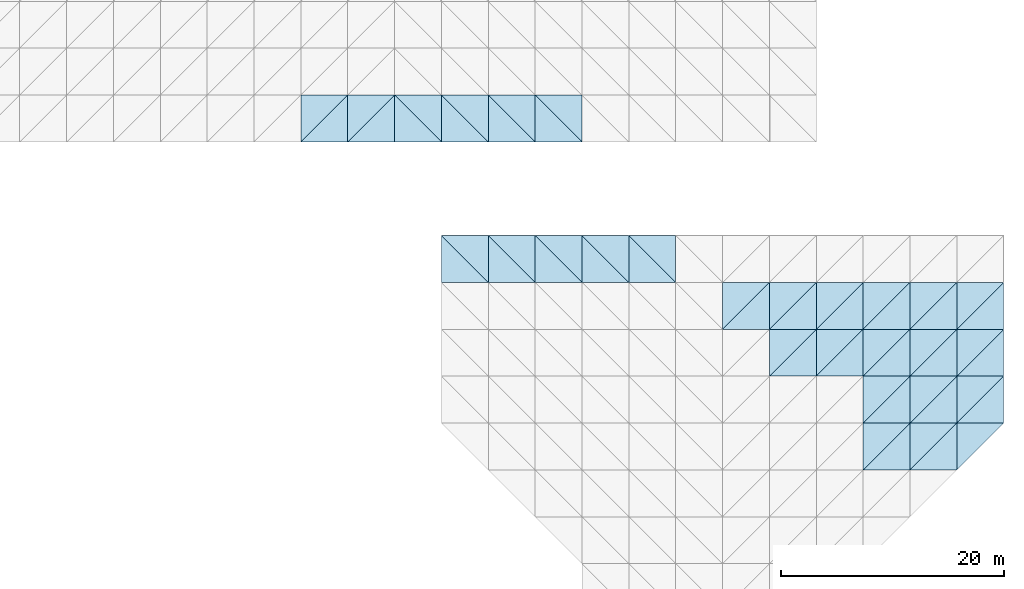
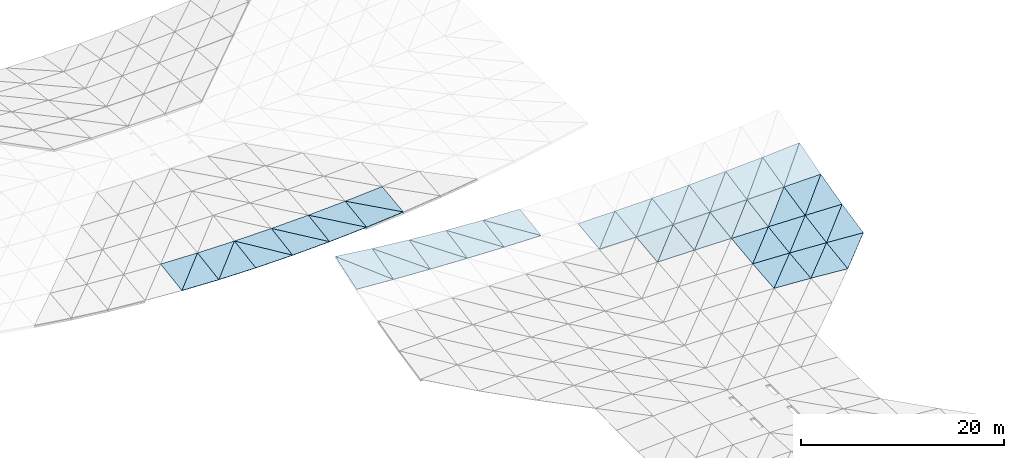
# One storey, part 49 of 64: 55 roofs.
"""IFC4 building model written with IfcOpenShell, lengths in metres."""

from ifc_helpers import new_model, si_unit, direction, frame, origin, place, context, subcontext, project, spatial, polyline, outline, extrude, material, layer, layer_set, type_object, element, save


model = new_model("IFC4")

# Units and contexts
model_context = context("Model", 3, precision=1e-05, world=origin(), true_north=direction((0.0, 1.0)))
body_context = subcontext(model_context, "Body", "Model", "MODEL_VIEW")
ifc_project = project(units=[si_unit("LENGTHUNIT", "METRE"), si_unit("AREAUNIT", "SQUARE_METRE"), si_unit("VOLUMEUNIT", "CUBIC_METRE"), si_unit("PLANEANGLEUNIT", "RADIAN"), si_unit("MASSUNIT", "GRAM", prefix="KILO")], contexts=[model_context])

# Site, building, storey
site_placement = place(None, origin())
site = spatial("IfcSite", under=ifc_project, at=site_placement, CompositionType="ELEMENT")
building_placement = place(site_placement, origin())
building = spatial("IfcBuilding", under=site, at=building_placement, Name="Cumbredor Promenade Congress Hotel", CompositionType="ELEMENT")
storey_placement = place(building_placement, frame((0.0, 0.0, 18.47998046875)))
storey = spatial("IfcBuildingStorey", under=building, at=storey_placement, Name="L05", CompositionType="ELEMENT", Elevation=18.47998046875)

# Roofs
ifc_material = material(Name="Standing-seam zinc-aluminium roofing", Category="aluminium")
ifc_layer = layer(ifc_material, 0.050048828125, Name="Standing-seam zinc-aluminium roofing", Category="aluminium")
ifc_layer_set = layer_set([ifc_layer], Name="Standing-seam zinc-aluminium roofing")
roof_type = type_object("IfcRoofType", Name="Sweeping Pavilion Standing-Seam Roof Skin 50mm", PredefinedType="FREEFORM", material=ifc_layer_set)
roof_1_placement = place(storey_placement, frame((138.60009765625, 67.199951171875, 3.352783203125), z_axis=(0.06211809951, -0.31911112182, 0.945679350332), x_axis=(0.997849616578, 0.0, -0.065544966967)))
element("IfcRoof", 1, at=roof_1_placement, inside=storey, type_object=roof_type, Name="Grand Ballroom Pavilion Standing-Seam Roof Skin 1.17.1", PredefinedType="FREEFORM", context=body_context, shape_type="SweptSolid", body=[
    extrude(outline(polyline([(0.0, 0.0), (4.20900214029975, 2.7755575615628914e-17), (-0.09289270831139244, 4.431649760600898), (0.0, 0.0)])), origin(), (0.0, 0.0, -1.0), 0.050048828125),
])
roof_2_placement = place(storey_placement, frame((142.800048828125, 67.199951171875, 3.076904296875), z_axis=(0.118242562971, -0.267282671727, 0.956336065249), x_axis=(0.0, 0.963092407715, 0.269170975777)))
element("IfcRoof", 2, at=roof_2_placement, inside=storey, type_object=roof_type, Name="Grand Ballroom Pavilion Standing-Seam Roof Skin 1.17.2", PredefinedType="FREEFORM", context=body_context, shape_type="SweptSolid", body=[
    extrude(outline(polyline([(0.0, 0.0), (4.360901548209407, 2.7755575615628914e-17), (4.500678566148418, 4.229623072255176), (0.0, 0.0)])), origin(), (0.0, 0.0, -1.0), 0.050048828125),
])
roof_3_placement = place(storey_placement, frame((142.800048828125, 67.199951171875, 3.076904296875), z_axis=(0.051660124766, -0.268811558307, 0.961806413801), x_axis=(0.998560647635, 0.0, -0.053634252073)))
element("IfcRoof", 3, at=roof_3_placement, inside=storey, type_object=roof_type, Name="Grand Ballroom Pavilion Standing-Seam Roof Skin 2.17.1", PredefinedType="FREEFORM", context=body_context, shape_type="SweptSolid", body=[
    extrude(outline(polyline([(0.0, 0.0), (4.206005095257487, -6.938893903907228e-18), (-0.0629573935468049, 4.360447073382843), (0.0, 0.0)])), origin(), (0.0, 0.0, -1.0), 0.050048828125),
])
roof_4_placement = place(storey_placement, frame((147.0, 67.199951171875, 2.851318359375), z_axis=(0.098109442037, -0.224902230425, 0.969429483837), x_axis=(0.0, 0.974129041372, 0.225992501547)))
element("IfcRoof", 4, at=roof_4_placement, inside=storey, type_object=roof_type, Name="Grand Ballroom Pavilion Standing-Seam Roof Skin 2.17.2", PredefinedType="FREEFORM", context=body_context, shape_type="SweptSolid", body=[
    extrude(outline(polyline([(0.0, 0.0), (4.311493645605063, 1.3877787807814457e-17), (4.407551493552724, 4.220311510098785), (0.0, 0.0)])), origin(), (0.0, 0.0, -1.0), 0.050048828125),
])
roof_5_placement = place(storey_placement, frame((147.0, 67.199951171875, 2.851318359375), z_axis=(0.040736541067, -0.225804910278, 0.973320438867), x_axis=(0.99912530526, 0.0, -0.041816556402)))
element("IfcRoof", 5, at=roof_5_placement, inside=storey, type_object=roof_type, Name="Grand Ballroom Pavilion Standing-Seam Roof Skin 3.17.1", PredefinedType="FREEFORM", context=body_context, shape_type="SweptSolid", body=[
    extrude(outline(polyline([(0.0, 0.0), (4.203628063231301, -6.938893903907228e-18), (-0.04074459877958907, 4.311301118428533), (0.0, 0.0)])), origin(), (0.0, 0.0, -1.0), 0.050048828125),
])
roof_6_placement = place(storey_placement, frame((151.199951171875, 67.199951171875, 2.675537109375), z_axis=(0.077020639314, -0.190958852419, 0.978571682506), x_axis=(0.0, 0.981487191562, 0.191527785972)))
element("IfcRoof", 6, at=roof_6_placement, inside=storey, type_object=roof_type, Name="Grand Ballroom Pavilion Standing-Seam Roof Skin 3.17.2", PredefinedType="FREEFORM", context=body_context, shape_type="SweptSolid", body=[
    extrude(outline(polyline([(0.0, 0.0), (4.279170638172024, 0.0), (4.34248329007777, 4.212464302897283), (0.0, 0.0)])), origin(), (0.0, 0.0, -1.0), 0.050048828125),
])
roof_7_placement = place(storey_placement, frame((151.199951171875, 67.199951171875, 2.675537109375), z_axis=(0.0292557931, -0.191445803973, 0.981067073503), x_axis=(0.999555668784, 0.0, -0.02980713004)))
element("IfcRoof", 7, at=roof_7_placement, inside=storey, type_object=roof_type, Name="Grand Ballroom Pavilion Standing-Seam Roof Skin 4.17.1", PredefinedType="FREEFORM", context=body_context, shape_type="SweptSolid", body=[
    extrude(outline(polyline([(0.0, 0.0), (4.201818170851172, 3.469446951953614e-18), (-0.024429329967256164, 4.279100905380816), (0.0, 0.0)])), origin(), (0.0, 0.0, -1.0), 0.050048828125),
])
roof_8_placement = place(storey_placement, frame((155.39990234375, 67.199951171875, 2.55029296875), z_axis=(0.055342530466, -0.166142053717, 0.984547623179), x_axis=(0.0, 0.986058829557, 0.166397069244)))
element("IfcRoof", 8, at=roof_8_placement, inside=storey, type_object=roof_type, Name="Grand Ballroom Pavilion Standing-Seam Roof Skin 4.17.2", PredefinedType="FREEFORM", context=body_context, shape_type="SweptSolid", body=[
    extrude(outline(polyline([(0.0, 0.0), (4.259331234590252, 6.938893903907228e-18), (4.2986149176856845, 4.206397780293135), (0.0, 0.0)])), origin(), (0.0, 0.0, -1.0), 0.050048828125),
])
roof_9_placement = place(storey_placement, frame((155.39990234375, 67.199951171875, 2.55029296875), z_axis=(0.017650477076, -0.166371147608, 0.985905219533), x_axis=(0.99983978315, 0.0, -0.017899944967)))
element("IfcRoof", 9, at=roof_9_placement, inside=storey, type_object=roof_type, Name="Grand Ballroom Pavilion Standing-Seam Roof Skin 5.17.1", PredefinedType="FREEFORM", context=body_context, shape_type="SweptSolid", body=[
    extrude(outline(polyline([(0.0, 0.0), (4.200868362394726, -1.734723475976807e-18), (-0.012686411191130705, 4.259312341320745), (0.0, 0.0)])), origin(), (0.0, 0.0, -1.0), 0.050048828125),
])
roof_10_placement = place(storey_placement, frame((159.60009765625, 67.199951171875, 2.47509765625), z_axis=(0.033364758538, -0.151040302528, 0.987964381898), x_axis=(0.0, 0.988514745931, 0.151124442353)))
element("IfcRoof", 10, at=roof_10_placement, inside=storey, type_object=roof_type, Name="Grand Ballroom Pavilion Standing-Seam Roof Skin 5.17.2", PredefinedType="FREEFORM", context=body_context, shape_type="SweptSolid", body=[
    extrude(outline(polyline([(0.0, 0.0), (4.248749135166854, 0.0), (4.270185487951792, 4.202535109838022), (0.0, 0.0)])), origin(), (0.0, 0.0, -1.0), 0.050048828125),
])
roof_11_placement = place(storey_placement, frame((163.800048828125, 63.0, 1.907470703125), z_axis=(-0.001325163288, -0.132631560406, 0.991164523743), x_axis=(0.999999106249, 0.0, 0.001336974914)))
element("IfcRoof", 11, at=roof_11_placement, inside=storey, type_object=roof_type, Name="Grand Ballroom Pavilion Standing-Seam Roof Skin 7.16.1", PredefinedType="FREEFORM", context=body_context, shape_type="SweptSolid", body=[
    extrude(outline(polyline([(0.0, 0.0), (4.199954925590426, 2.168404344971009e-19), (4.200706321159709, 4.23738674816817), (0.0, 0.0)])), origin(), (0.0, 0.0, -1.0), 0.050048828125),
])
roof_12_placement = place(storey_placement, frame((163.800048828125, 63.0, 1.907470703125), z_axis=(-0.005937895527, -0.128097124871, 0.991743852008), x_axis=(0.703899772334, 0.703899772334, 0.095132649577)))
element("IfcRoof", 12, at=roof_12_placement, inside=storey, type_object=roof_type, Name="Grand Ballroom Pavilion Standing-Seam Roof Skin 7.16.2", PredefinedType="FREEFORM", context=body_context, shape_type="SweptSolid", body=[
    extrude(outline(polyline([(0.0, 0.0), (5.966689203417784, 4.996003610813204e-16), (3.007952278033862, 2.9809558866545327), (0.0, 0.0)])), origin(), (0.0, 0.0, -1.0), 0.050048828125),
])
roof_13_placement = place(storey_placement, frame((168.0, 58.800048828125, 1.431396484375), z_axis=(0.007727477115, -0.125542669251, 0.992058125462), x_axis=(0.999969664479, 0.0, -0.007789102775)))
element("IfcRoof", 13, at=roof_13_placement, inside=storey, type_object=roof_type, Name="Grand Ballroom Pavilion Standing-Seam Roof Skin 8.15.1", PredefinedType="FREEFORM", context=body_context, shape_type="SweptSolid", body=[
    extrude(outline(polyline([(0.0, 0.0), (4.200078583447668, 0.0), (4.195938720961974, 4.233445255249145), (0.0, 0.0)])), origin(), (0.0, 0.0, -1.0), 0.050048828125),
])
roof_14_placement = place(storey_placement, frame((168.0, 58.800048828125, 1.431396484375), z_axis=(-0.004042524387, -0.113941437366, 0.99347924329), x_axis=(0.704626711716, 0.704626711716, 0.083680309948)))
element("IfcRoof", 14, at=roof_14_placement, inside=storey, type_object=roof_type, Name="Grand Ballroom Pavilion Standing-Seam Roof Skin 8.15.2", PredefinedType="FREEFORM", context=body_context, shape_type="SweptSolid", body=[
    extrude(outline(polyline([(0.0, 0.0), (5.96053357336904, 4.85722573273506e-17), (2.9997057063416306, 2.978821956869445), (0.0, 0.0)])), origin(), (0.0, 0.0, -1.0), 0.050048828125),
])
roof_15_placement = place(storey_placement, frame((168.0, 63.0, 1.9130859375), z_axis=(-0.004025384366, -0.146063947006, 0.989266960767), x_axis=(0.999991721487, 0.0, 0.004069024037)))
element("IfcRoof", 15, at=roof_15_placement, inside=storey, type_object=roof_type, Name="Grand Ballroom Pavilion Standing-Seam Roof Skin 8.16.1", PredefinedType="FREEFORM", context=body_context, shape_type="SweptSolid", body=[
    extrude(outline(polyline([(0.0, 0.0), (4.1999859415114225, 0.0), (4.2025092132529585, 4.24548334179594), (0.0, 0.0)])), origin(), (0.0, 0.0, -1.0), 0.050048828125),
])
roof_16_placement = place(storey_placement, frame((168.0, 63.0, 1.9130859375), z_axis=(-0.017742887004, -0.132610798325, 0.991009367326), x_axis=(0.703072478188, 0.703072478188, 0.106668555954)))
element("IfcRoof", 16, at=roof_16_placement, inside=storey, type_object=roof_type, Name="Grand Ballroom Pavilion Standing-Seam Roof Skin 8.16.2", PredefinedType="FREEFORM", context=body_context, shape_type="SweptSolid", body=[
    extrude(outline(polyline([(0.0, 0.0), (5.973710111224247, -3.5388358909926865e-16), (3.0128190571467397, 2.97965909913197), (0.0, 0.0)])), origin(), (0.0, 0.0, -1.0), 0.050048828125),
])
roof_17_placement = place(storey_placement, frame((172.199951171875, 58.800048828125, 1.398681640625), z_axis=(0.012825240402, -0.144758430906, 0.9893839042), x_axis=(0.999915992778, 0.0, -0.012961766342)))
element("IfcRoof", 17, at=roof_17_placement, inside=storey, type_object=roof_type, Name="Grand Ballroom Pavilion Standing-Seam Roof Skin 9.15.1", PredefinedType="FREEFORM", context=body_context, shape_type="SweptSolid", body=[
    extrude(outline(polyline([(0.0, 0.0), (4.20030402774778, 0.0), (4.1923389970143825, 4.244660063516752), (0.0, 0.0)])), origin(), (0.0, 0.0, -1.0), 0.050048828125),
])
roof_18_placement = place(storey_placement, frame((172.199951171875, 58.800048828125, 1.398681640625), z_axis=(-0.006747173413, -0.125543559999, 0.992065164288), x_axis=(0.703984160559, 0.703984160559, 0.093875467321)))
element("IfcRoof", 18, at=roof_18_placement, inside=storey, type_object=roof_type, Name="Grand Ballroom Pavilion Standing-Seam Roof Skin 9.15.2", PredefinedType="FREEFORM", context=body_context, shape_type="SweptSolid", body=[
    extrude(outline(polyline([(0.0, 0.0), (5.965973962455887, -1.942890293094024e-16), (3.0065933609497577, 2.9803476692402406), (0.0, 0.0)])), origin(), (0.0, 0.0, -1.0), 0.050048828125),
])
roof_19_placement = place(storey_placement, frame((172.199951171875, 63.0, 1.93017578125), z_axis=(-0.006704051065, -0.168231572029, 0.985724704911), x_axis=(0.999976873054, 0.0, 0.006800982047)))
element("IfcRoof", 19, at=roof_19_placement, inside=storey, type_object=roof_type, Name="Grand Ballroom Pavilion Standing-Seam Roof Skin 9.16.1", PredefinedType="FREEFORM", context=body_context, shape_type="SweptSolid", body=[
    extrude(outline(polyline([(0.0, 0.0), (4.200048306164646, 8.673617379884035e-19), (4.204923228842567, 4.260676453483982), (0.0, 0.0)])), origin(), (0.0, 0.0, -1.0), 0.050048828125),
])
roof_20_placement = place(storey_placement, frame((172.199951171875, 63.0, 1.93017578125), z_axis=(-0.029487727326, -0.146001612881, 0.988844782043), x_axis=(0.701604059299, 0.701604059299, 0.124513003141)))
element("IfcRoof", 20, at=roof_20_placement, inside=storey, type_object=roof_type, Name="Grand Ballroom Pavilion Standing-Seam Roof Skin 9.16.2", PredefinedType="FREEFORM", context=body_context, shape_type="SweptSolid", body=[
    extrude(outline(polyline([(0.0, 0.0), (5.986212759477618, 1.8735013540549517e-16), (3.023915444358841, 2.979944723939551), (0.0, 0.0)])), origin(), (0.0, 0.0, -1.0), 0.050048828125),
])
roof_21_placement = place(storey_placement, frame((176.39990234375, 50.39990234375, 0.42236328125), z_axis=(0.059193687169, -0.115044400769, 0.991595125669), x_axis=(0.998222976403, 0.0, -0.0595893395)))
element("IfcRoof", 21, at=roof_21_placement, inside=storey, type_object=roof_type, Name="Grand Ballroom Pavilion Standing-Seam Roof Skin 10.13.1", PredefinedType="FREEFORM", context=body_context, shape_type="SweptSolid", body=[
    extrude(outline(polyline([(0.0, 0.0), (4.20767244572653, -3.469446951953614e-18), (4.178634281262942, 4.228269540439803), (0.0, 0.0)])), origin(), (0.0, 0.0, -1.0), 0.050048828125),
])
roof_22_placement = place(storey_placement, frame((176.39990234375, 50.39990234375, 0.42236328125), z_axis=(0.040982249468, -0.096993250503, 0.994440930667), x_axis=(0.706546640121, 0.706546640121, 0.039795611153)))
element("IfcRoof", 22, at=roof_22_placement, inside=storey, type_object=roof_type, Name="Grand Ballroom Pavilion Standing-Seam Roof Skin 10.13.2", PredefinedType="FREEFORM", context=body_context, shape_type="SweptSolid", body=[
    extrude(outline(polyline([(0.0, 0.0), (5.944682309691317, 1.3530843112619095e-16), (2.9839368730856948, 2.9842233906338667), (0.0, 0.0)])), origin(), (0.0, 0.0, -1.0), 0.050048828125),
])
roof_23_placement = place(storey_placement, frame((176.39990234375, 54.60009765625, 0.83203125), z_axis=(0.040751093511, -0.143355620727, 0.988831893895), x_axis=(0.999151892623, 0.0, -0.041176394552)))
element("IfcRoof", 23, at=roof_23_placement, inside=storey, type_object=roof_type, Name="Grand Ballroom Pavilion Standing-Seam Roof Skin 10.14.1", PredefinedType="FREEFORM", context=body_context, shape_type="SweptSolid", body=[
    extrude(outline(polyline([(0.0, 0.0), (4.203760552836866, 6.938893903907228e-18), (4.178688793068251, 4.243784194473894), (0.0, 0.0)])), origin(), (0.0, 0.0, -1.0), 0.050048828125),
])
roof_24_placement = place(storey_placement, frame((176.39990234375, 54.60009765625, 0.83203125), z_axis=(0.018056692985, -0.121038798704, 0.992483533892), x_axis=(0.705231798689, 0.705190806374, 0.073171283461)))
element("IfcRoof", 24, at=roof_24_placement, inside=storey, type_object=roof_type, Name="Grand Ballroom Pavilion Standing-Seam Roof Skin 10.14.2", PredefinedType="FREEFORM", context=body_context, shape_type="SweptSolid", body=[
    extrude(outline(polyline([(0.0, 0.0), (5.955765636639897, 1.1796119636642288e-16), (2.9992457994990325, 2.9843710431485446), (0.0, 0.0)])), origin(), (0.0, 0.0, -1.0), 0.050048828125),
])
roof_25_placement = place(storey_placement, frame((176.39990234375, 58.800048828125, 1.34423828125), z_axis=(0.017921309155, -0.171378901834, 0.98504218117), x_axis=(0.999834540383, 0.0, -0.018190433105)))
element("IfcRoof", 25, at=roof_25_placement, inside=storey, type_object=roof_type, Name="Grand Ballroom Pavilion Standing-Seam Roof Skin 10.15.1", PredefinedType="FREEFORM", context=body_context, shape_type="SweptSolid", body=[
    extrude(outline(polyline([(0.0, 0.0), (4.200890390213838, 0.0), (4.187598406257897, 4.263021756667709), (0.0, 0.0)])), origin(), (0.0, 0.0, -1.0), 0.050048828125),
])
roof_26_placement = place(storey_placement, frame((176.39990234375, 58.800048828125, 1.34423828125), z_axis=(-0.009374317288, -0.144763976609, 0.989421807548), x_axis=(0.702875823219, 0.702834967847, 0.109492397479)))
element("IfcRoof", 26, at=roof_26_placement, inside=storey, type_object=roof_type, Name="Grand Ballroom Pavilion Standing-Seam Roof Skin 10.15.2", PredefinedType="FREEFORM", context=body_context, shape_type="SweptSolid", body=[
    extrude(outline(polyline([(0.0, 0.0), (5.975728818304586, 3.885780586188048e-16), (3.0191558389465185, 2.983605288352293), (0.0, 0.0)])), origin(), (0.0, 0.0, -1.0), 0.050048828125),
])
roof_27_placement = place(storey_placement, frame((176.39990234375, 63.0, 1.958740234375), z_axis=(-0.009284672729, -0.198976975823, 0.979960181816), x_axis=(0.99995511956, 0.0, 0.009474115583)))
element("IfcRoof", 27, at=roof_27_placement, inside=storey, type_object=roof_type, Name="Grand Ballroom Pavilion Standing-Seam Roof Skin 10.16.1", PredefinedType="FREEFORM", context=body_context, shape_type="SweptSolid", body=[
    extrude(outline(polyline([(0.0, 0.0), (4.200383827575048, 1.734723475976807e-18), (4.208463194208612, 4.285646247825539), (0.0, 0.0)])), origin(), (0.0, 0.0, -1.0), 0.050048828125),
])
roof_28_placement = place(storey_placement, frame((176.39990234375, 63.0, 1.958740234375), z_axis=(-0.041219167143, -0.168092374333, 0.984909099334), x_axis=(0.699276128643, 0.699235482506, 0.148602274257)))
element("IfcRoof", 28, at=roof_28_placement, inside=storey, type_object=roof_type, Name="Grand Ballroom Pavilion Standing-Seam Roof Skin 10.16.2", PredefinedType="FREEFORM", context=body_context, shape_type="SweptSolid", body=[
    extrude(outline(polyline([(0.0, 0.0), (6.006490341165102, -3.191891195797325e-16), (3.043272529974937, 2.981925538044821), (0.0, 0.0)])), origin(), (0.0, 0.0, -1.0), 0.050048828125),
])
roof_29_placement = place(storey_placement, frame((180.60009765625, 50.39990234375, 0.171630859375), z_axis=(0.075831077884, -0.137991911416, 0.987526141432), x_axis=(0.997064704654, 0.0, -0.076563533968)))
element("IfcRoof", 29, at=roof_29_placement, inside=storey, type_object=roof_type, Name="Grand Ballroom Pavilion Standing-Seam Roof Skin 11.13.1", PredefinedType="FREEFORM", context=body_context, shape_type="SweptSolid", body=[
    extrude(outline(polyline([(0.0, 0.0), (4.212315562141288, -6.938893903907228e-18), (4.167379347380904, 4.240765204124161), (0.0, 0.0)])), origin(), (0.0, 0.0, -1.0), 0.050048828125),
])
roof_30_placement = place(storey_placement, frame((180.60009765625, 50.39990234375, 0.171630859375), z_axis=(0.052645408579, -0.115086667719, 0.991959434588), x_axis=(0.7063867246, 0.706427786433, 0.044469965863)))
element("IfcRoof", 30, at=roof_30_placement, inside=storey, type_object=roof_type, Name="Grand Ballroom Pavilion Standing-Seam Roof Skin 11.13.2", PredefinedType="FREEFORM", context=body_context, shape_type="SweptSolid", body=[
    extrude(outline(polyline([(0.0, 0.0), (5.9456824790336, -2.7755575615628914e-17), (2.9888051000156484, 2.9910116341677613), (0.0, 0.0)])), origin(), (0.0, 0.0, -1.0), 0.050048828125),
])
roof_31_placement = place(storey_placement, frame((180.60009765625, 54.60009765625, 0.658935546875), z_axis=(0.052209220159, -0.17183867095, 0.983740651034), x_axis=(0.99859464216, 0.0, -0.052997553234)))
element("IfcRoof", 31, at=roof_31_placement, inside=storey, type_object=roof_type, Name="Grand Ballroom Pavilion Standing-Seam Roof Skin 11.14.1", PredefinedType="FREEFORM", context=body_context, shape_type="SweptSolid", body=[
    extrude(outline(polyline([(0.0, 0.0), (4.205861912887175, 0.0), (4.1669806512979335, 4.263368331034666), (0.0, 0.0)])), origin(), (0.0, 0.0, -1.0), 0.050048828125),
])
roof_32_placement = place(storey_placement, frame((180.60009765625, 54.60009765625, 0.658935546875), z_axis=(0.023120069261, -0.143436449594, 0.989389431582), x_axis=(0.704506982586, 0.704506982586, 0.085672766818)))
element("IfcRoof", 32, at=roof_32_placement, inside=storey, type_object=roof_type, Name="Grand Ballroom Pavilion Standing-Seam Roof Skin 11.14.2", PredefinedType="FREEFORM", context=body_context, shape_type="SweptSolid", body=[
    extrude(outline(polyline([(0.0, 0.0), (5.961546550548831, -4.787836793695988e-16), (3.0110599369815705, 2.9906271814301544), (0.0, 0.0)])), origin(), (0.0, 0.0, -1.0), 0.050048828125),
])
roof_33_placement = place(storey_placement, frame((180.60009765625, 58.800048828125, 1.267822265625), z_axis=(0.022865250405, -0.205047830124, 0.978484832629), x_axis=(0.999727079655, 0.0, -0.023361639599)))
element("IfcRoof", 33, at=roof_33_placement, inside=storey, type_object=roof_type, Name="Grand Ballroom Pavilion Standing-Seam Roof Skin 11.15.1", PredefinedType="FREEFORM", context=body_context, shape_type="SweptSolid", body=[
    extrude(outline(polyline([(0.0, 0.0), (4.2010977369193006, 0.0), (4.180536528239045, 4.291129284518109), (0.0, 0.0)])), origin(), (0.0, 0.0, -1.0), 0.050048828125),
])
roof_34_placement = place(storey_placement, frame((180.60009765625, 58.800048828125, 1.267822265625), z_axis=(-0.01202564229, -0.17139403512, 0.985129163436), x_axis=(0.701057146782, 0.701057146782, 0.130528747378)))
element("IfcRoof", 34, at=roof_34_placement, inside=storey, type_object=roof_type, Name="Grand Ballroom Pavilion Standing-Seam Roof Skin 11.15.2", PredefinedType="FREEFORM", context=body_context, shape_type="SweptSolid", body=[
    extrude(outline(polyline([(0.0, 0.0), (5.990882756354849, -9.71445146547012e-17), (3.0397848234841582, 2.988852522553617), (0.0, 0.0)])), origin(), (0.0, 0.0, -1.0), 0.050048828125),
])
roof_35_placement = place(storey_placement, frame((180.60009765625, 63.0, 1.99853515625), z_axis=(-0.011856912562, -0.237533481662, 0.971306984796), x_axis=(0.999925500788, 0.0, 0.012206263743)))
element("IfcRoof", 35, at=roof_35_placement, inside=storey, type_object=roof_type, Name="Grand Ballroom Pavilion Standing-Seam Roof Skin 11.16.1", PredefinedType="FREEFORM", context=body_context, shape_type="SweptSolid", body=[
    extrude(outline(polyline([(0.0, 0.0), (4.200264088241212, 0.0), (4.212801136963252, 4.32369821751262), (0.0, 0.0)])), origin(), (0.0, 0.0, -1.0), 0.050048828125),
])
roof_36_placement = place(storey_placement, frame((180.60009765625, 63.0, 1.99853515625), z_axis=(-0.052564690677, -0.198710459454, 0.978647590605), x_axis=(0.695733289113, 0.695733289113, 0.178634769401)))
element("IfcRoof", 36, at=roof_36_placement, inside=storey, type_object=roof_type, Name="Grand Ballroom Pavilion Standing-Seam Roof Skin 11.16.2", PredefinedType="FREEFORM", context=body_context, shape_type="SweptSolid", body=[
    extrude(outline(polyline([(0.0, 0.0), (6.036725908613102, -6.106226635438361e-16), (3.074382573763629, 2.9857998639903585), (0.0, 0.0)])), origin(), (0.0, 0.0, -1.0), 0.050048828125),
])
roof_37_placement = place(storey_placement, frame((184.800048828125, 50.39990234375, -0.15087890625), z_axis=(0.064058778521, -0.138106145574, 0.988343647447), x_axis=(0.706095918932, 0.706136963861, 0.052906913881)))
element("IfcRoof", 37, at=roof_37_placement, inside=storey, type_object=roof_type, Name="Grand Ballroom Pavilion Standing-Seam Roof Skin 12.13.2", PredefinedType="FREEFORM", context=body_context, shape_type="SweptSolid", body=[
    extrude(outline(polyline([(0.0, 0.0), (5.948131208898557, -3.469446951953614e-16), (2.996964977353546, 3.000718198102495), (0.0, 0.0)])), origin(), (0.0, 0.0, -1.0), 0.050048828125),
])
roof_38_placement = place(storey_placement, frame((184.800048828125, 54.60009765625, 0.43603515625), z_axis=(0.063292145756, -0.205940721797, 0.976515500845), x_axis=(0.997906149499, 0.0, -0.064678565174)))
element("IfcRoof", 38, at=roof_38_placement, inside=storey, type_object=roof_type, Name="Grand Ballroom Pavilion Standing-Seam Roof Skin 12.14.1", PredefinedType="FREEFORM", context=body_context, shape_type="SweptSolid", body=[
    extrude(outline(polyline([(0.0, 0.0), (4.208763693845863, 6.938893903907228e-18), (4.151475160044152, 4.291951431778594), (0.0, 0.0)])), origin(), (0.0, 0.0, -1.0), 0.050048828125),
])
roof_39_placement = place(storey_placement, frame((184.800048828125, 54.60009765625, 0.43603515625), z_axis=(0.028161900128, -0.172005101393, 0.984693430706), x_axis=(0.703364441624, 0.703364441624, 0.102746895414)))
element("IfcRoof", 39, at=roof_39_placement, inside=storey, type_object=roof_type, Name="Grand Ballroom Pavilion Standing-Seam Roof Skin 12.14.2", PredefinedType="FREEFORM", context=body_context, shape_type="SweptSolid", body=[
    extrude(outline(polyline([(0.0, 0.0), (5.971230450854324, 1.3877787807814457e-17), (3.0294758081007083, 3.0000162677400013), (0.0, 0.0)])), origin(), (0.0, 0.0, -1.0), 0.050048828125),
])
roof_40_placement = place(storey_placement, frame((184.800048828125, 58.800048828125, 1.169677734375), z_axis=(0.027714787529, -0.245264603454, 0.969059938727), x_axis=(0.999591280357, 0.0, -0.028587973606)))
element("IfcRoof", 40, at=roof_40_placement, inside=storey, type_object=roof_type, Name="Grand Ballroom Pavilion Standing-Seam Roof Skin 12.15.1", PredefinedType="FREEFORM", context=body_context, shape_type="SweptSolid", body=[
    extrude(outline(polyline([(0.0, 0.0), (4.2016684763159375, 0.0), (4.171279795388602, 4.332275436797678), (0.0, 0.0)])), origin(), (0.0, 0.0, -1.0), 0.050048828125),
])
roof_41_placement = place(storey_placement, frame((184.800048828125, 58.800048828125, 1.169677734375), z_axis=(-0.014620094207, -0.205079531574, 0.97863611142), x_axis=(0.698362450315, 0.698362450315, 0.156779386335)))
element("IfcRoof", 41, at=roof_41_placement, inside=storey, type_object=roof_type, Name="Grand Ballroom Pavilion Standing-Seam Roof Skin 12.15.2", PredefinedType="FREEFORM", context=body_context, shape_type="SweptSolid", body=[
    extrude(outline(polyline([(0.0, 0.0), (6.013999134660538, -2.7755575615628914e-17), (3.071073955202444, 2.997118292865415), (0.0, 0.0)])), origin(), (0.0, 0.0, -1.0), 0.050048828125),
])
roof_42_placement = place(storey_placement, frame((184.800048828125, 63.0, 2.0498046875), z_axis=(-0.014326151444, -0.283178402091, 0.958960246295), x_axis=(0.999888428009, 0.0, 0.014937587979)))
element("IfcRoof", 42, at=roof_42_placement, inside=storey, type_object=roof_type, Name="Grand Ballroom Pavilion Standing-Seam Roof Skin 12.16.1", PredefinedType="FREEFORM", context=body_context, shape_type="SweptSolid", body=[
    extrude(outline(polyline([(0.0, 0.0), (4.20041982107943, 3.469446951953614e-18), (4.2189459311702455, 4.379204029765082), (0.0, 0.0)])), origin(), (0.0, 0.0, -1.0), 0.050048828125),
])
roof_43_placement = place(storey_placement, frame((184.800048828125, 63.0, 2.0498046875), z_axis=(-0.063676478937, -0.237068094593, 0.969403953239), x_axis=(0.690683052822, 0.690683052822, 0.214275152759)))
element("IfcRoof", 43, at=roof_43_placement, inside=storey, type_object=roof_type, Name="Grand Ballroom Pavilion Standing-Seam Roof Skin 12.16.2", PredefinedType="FREEFORM", context=body_context, shape_type="SweptSolid", body=[
    extrude(outline(polyline([(0.0, 0.0), (6.080866114662344, -8.326672684688674e-17), (3.120917022790008, 2.9923904141291486), (0.0, 0.0)])), origin(), (0.0, 0.0, -1.0), 0.050048828125),
])
roof_44_placement = place(storey_placement, frame((126.0, 79.800048828125, -0.018310546875), z_axis=(0.037281756976, -0.158189362676, 0.986704715775), x_axis=(0.999286944012, 0.0, -0.037757165239)))
element("IfcRoof", 44, at=roof_44_placement, inside=storey, type_object=roof_type, Name="Pre-Function and Breakout Meeting Forum Standing-Seam Roof Skin 10.1.1", PredefinedType="FREEFORM", context=body_context, shape_type="SweptSolid", body=[
    extrude(outline(polyline([(0.0, 0.0), (4.2029481091909515, 0.0), (4.177524705448427, 4.25350796894253), (0.0, 0.0)])), origin(), (0.0, 0.0, -1.0), 0.050048828125),
])
roof_45_placement = place(storey_placement, frame((126.0, 79.800048828125, -0.018310546875), z_axis=(0.029753049423, -0.150833026609, 0.988111407754), x_axis=(0.70446728628, 0.70446728628, 0.086323143607)))
element("IfcRoof", 45, at=roof_45_placement, inside=storey, type_object=roof_type, Name="Pre-Function and Breakout Meeting Forum Standing-Seam Roof Skin 10.1.2", PredefinedType="FREEFORM", context=body_context, shape_type="SweptSolid", body=[
    extrude(outline(polyline([(0.0, 0.0), (5.961882480097168, 9.71445146547012e-17), (3.0140711184057296, 2.994326531746623), (0.0, 0.0)])), origin(), (0.0, 0.0, -1.0), 0.050048828125),
])
roof_46_placement = place(storey_placement, frame((130.199951171875, 79.800048828125, -0.177001953125), z_axis=(0.012449049297, -0.160747631938, 0.98691702792), x_axis=(0.999920451999, 0.0, -0.012613075515)))
element("IfcRoof", 46, at=roof_46_placement, inside=storey, type_object=roof_type, Name="Pre-Function and Breakout Meeting Forum Standing-Seam Roof Skin 11.1.1", PredefinedType="FREEFORM", context=body_context, shape_type="SweptSolid", body=[
    extrude(outline(polyline([(0.0, 0.0), (4.200285296173584, 1.734723475976807e-18), (4.191656917855004, 4.25528890002793), (0.0, 0.0)])), origin(), (0.0, 0.0, -1.0), 0.050048828125),
])
roof_47_placement = place(storey_placement, frame((130.199951171875, 79.800048828125, -0.177001953125), z_axis=(0.009929096646, -0.158291610113, 0.987342483239), x_axis=(0.70314874896, 0.70314874896, 0.105658287279)))
element("IfcRoof", 47, at=roof_47_placement, inside=storey, type_object=roof_type, Name="Pre-Function and Breakout Meeting Forum Standing-Seam Roof Skin 11.1.2", PredefinedType="FREEFORM", context=body_context, shape_type="SweptSolid", body=[
    extrude(outline(polyline([(0.0, 0.0), (5.973062140954387, 2.7755575615628914e-16), (3.024334346846225, 2.9910496735764323), (0.0, 0.0)])), origin(), (0.0, 0.0, -1.0), 0.050048828125),
])
roof_48_placement = place(storey_placement, frame((134.39990234375, 79.800048828125, -0.22998046875), z_axis=(-0.012448325796, -0.160747633386, 0.98691703681), x_axis=(0.999920461245, 0.0, 0.012612342484)))
element("IfcRoof", 48, at=roof_48_placement, inside=storey, type_object=roof_type, Name="Pre-Function and Breakout Meeting Forum Standing-Seam Roof Skin 12.1.1", PredefinedType="FREEFORM", context=body_context, shape_type="SweptSolid", body=[
    extrude(outline(polyline([(0.0, 0.0), (4.200529417378815, 1.734723475976807e-18), (0.008627876865096478, 4.255288901044688), (0.0, 0.0)])), origin(), (0.0, 0.0, -1.0), 0.050048828125),
])
roof_49_placement = place(storey_placement, frame((138.60009765625, 79.800048828125, -0.177001953125), z_axis=(-0.009928519564, -0.15829161102, 0.987342488896), x_axis=(0.0, 0.987391156385, 0.158299413434)))
element("IfcRoof", 49, at=roof_49_placement, inside=storey, type_object=roof_type, Name="Pre-Function and Breakout Meeting Forum Standing-Seam Roof Skin 12.1.2", PredefinedType="FREEFORM", context=body_context, shape_type="SweptSolid", body=[
    extrude(outline(polyline([(0.0, 0.0), (4.253583946663738, 0.0), (4.246897960695936, 4.2004023459845), (0.0, 0.0)])), origin(), (0.0, 0.0, -1.0), 0.050048828125),
])
roof_50_placement = place(storey_placement, frame((138.60009765625, 79.800048828125, -0.177001953125), z_axis=(-0.037281756976, -0.158189362676, 0.986704715775), x_axis=(0.999286944012, 0.0, 0.037757165239)))
element("IfcRoof", 50, at=roof_50_placement, inside=storey, type_object=roof_type, Name="Pre-Function and Breakout Meeting Forum Standing-Seam Roof Skin 13.1.1", PredefinedType="FREEFORM", context=body_context, shape_type="SweptSolid", body=[
    extrude(outline(polyline([(0.0, 0.0), (4.2029481091909515, 0.0), (0.025423403742524806, 4.25350796894253), (0.0, 0.0)])), origin(), (0.0, 0.0, -1.0), 0.050048828125),
])
roof_51_placement = place(storey_placement, frame((142.800048828125, 79.800048828125, -0.018310546875), z_axis=(-0.029753049423, -0.150833026609, 0.988111407754), x_axis=(0.0, 0.988549058169, 0.15089983298)))
element("IfcRoof", 51, at=roof_51_placement, inside=storey, type_object=roof_type, Name="Pre-Function and Breakout Meeting Forum Standing-Seam Roof Skin 13.1.2", PredefinedType="FREEFORM", context=body_context, shape_type="SweptSolid", body=[
    extrude(outline(polyline([(0.0, 0.0), (4.24860166237426, 0.0), (4.229518138574568, 4.2018113977138825), (0.0, 0.0)])), origin(), (0.0, 0.0, -1.0), 0.050048828125),
])
roof_52_placement = place(storey_placement, frame((142.800048828125, 79.800048828125, -0.018310546875), z_axis=(-0.062113086697, -0.15060846322, 0.986640286663), x_axis=(0.998024259177, 0.0, 0.06282975485)))
element("IfcRoof", 52, at=roof_52_placement, inside=storey, type_object=roof_type, Name="Pre-Function and Breakout Meeting Forum Standing-Seam Roof Skin 14.1.1", PredefinedType="FREEFORM", context=body_context, shape_type="SweptSolid", body=[
    extrude(outline(polyline([(0.0, 0.0), (4.208265614043409, 0.0), (0.04028099029216406, 4.248410706058256), (0.0, 0.0)])), origin(), (0.0, 0.0, -1.0), 0.050048828125),
])
roof_53_placement = place(storey_placement, frame((147.0, 79.800048828125, 0.24609375), z_axis=(-0.049677874102, -0.138396577503, 0.989130171494), x_axis=(0.0, 0.990352968068, 0.138567668089)))
element("IfcRoof", 53, at=roof_53_placement, inside=storey, type_object=roof_type, Name="Pre-Function and Breakout Meeting Forum Standing-Seam Roof Skin 14.1.2", PredefinedType="FREEFORM", context=body_context, shape_type="SweptSolid", body=[
    extrude(outline(polyline([(0.0, 0.0), (4.240862911806096, -3.469446951953614e-18), (4.211633794318528, 4.205143295267277), (0.0, 0.0)])), origin(), (0.0, 0.0, -1.0), 0.050048828125),
])
roof_54_placement = place(storey_placement, frame((147.0, 79.800048828125, 0.24609375), z_axis=(-0.086943542006, -0.138042945653, 0.986602739535), x_axis=(0.99613953622, 0.0, 0.087783964245)))
element("IfcRoof", 54, at=roof_54_placement, inside=storey, type_object=roof_type, Name="Pre-Function and Breakout Meeting Forum Standing-Seam Roof Skin 15.1.1", PredefinedType="FREEFORM", context=body_context, shape_type="SweptSolid", body=[
    extrude(outline(polyline([(0.0, 0.0), (4.2162277664539305, -6.938893903907228e-18), (0.051585937973190915, 4.240549154028981), (0.0, 0.0)])), origin(), (0.0, 0.0, -1.0), 0.050048828125),
])
roof_55_placement = place(storey_placement, frame((151.199951171875, 79.800048828125, 0.6162109375), z_axis=(-0.069591463531, -0.120878472635, 0.990224935586), x_axis=(0.0, 0.992631496019, 0.121172245634)))
element("IfcRoof", 55, at=roof_55_placement, inside=storey, type_object=roof_type, Name="Pre-Function and Breakout Meeting Forum Standing-Seam Roof Skin 15.1.2", PredefinedType="FREEFORM", context=body_context, shape_type="SweptSolid", body=[
    extrude(outline(polyline([(0.0, 0.0), (4.23112825728477, 0.0), (4.195362328336695, 4.210158384341449), (0.0, 0.0)])), origin(), (0.0, 0.0, -1.0), 0.050048828125),
])

save(model, "model.ifc")
